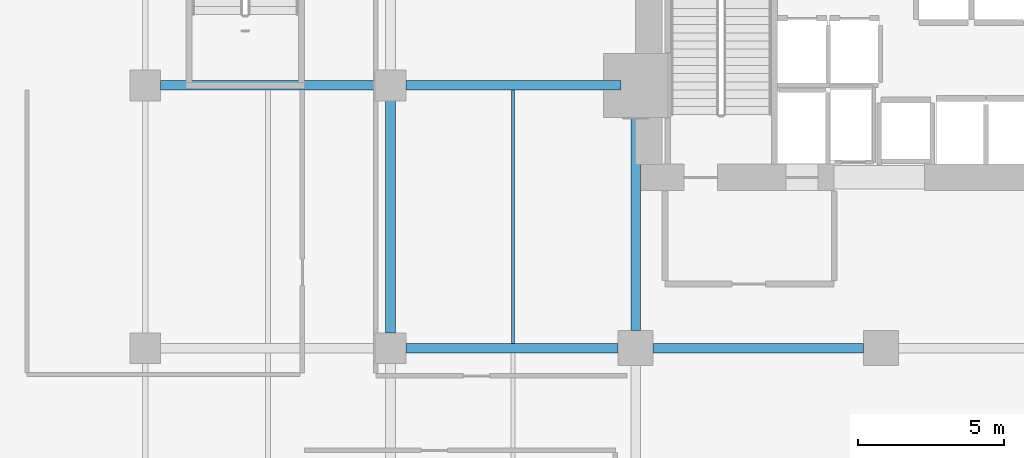
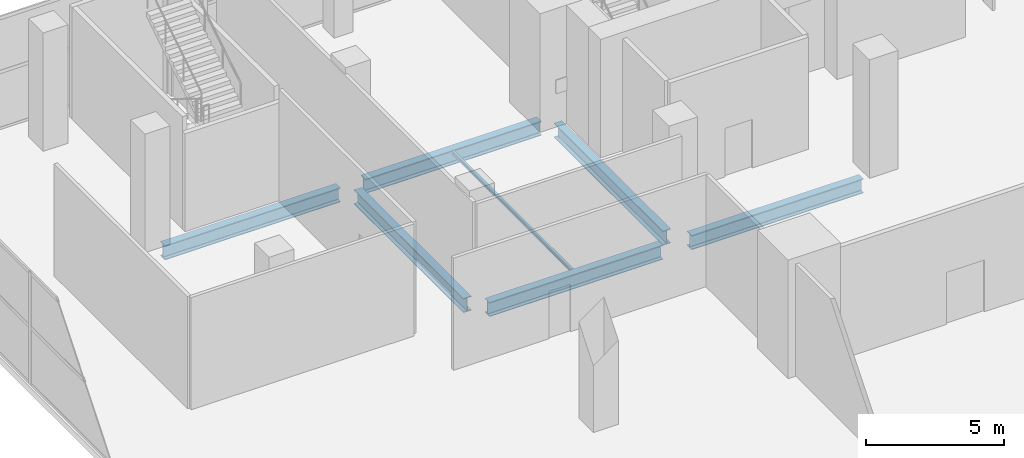
# One storey, part 19 of 40: 7 beams.
"""IFC4 building model written with IfcOpenShell, lengths in metres."""

from ifc_helpers import new_model, si_unit, direction, frame, origin, origin_2d, place, context, subcontext, project, spatial, i_section, extrude, material, material_profile, profile_set, type_object, element, save


model = new_model("IFC4")

# Units and contexts
model_context = context("Model", 3, precision=1e-05, world=origin(), true_north=direction((0.0, 1.0)))
body_context = subcontext(model_context, "Body", "Model", "MODEL_VIEW")
ifc_project = project(units=[si_unit("LENGTHUNIT", "METRE"), si_unit("AREAUNIT", "SQUARE_METRE"), si_unit("VOLUMEUNIT", "CUBIC_METRE"), si_unit("PLANEANGLEUNIT", "RADIAN"), si_unit("MASSUNIT", "GRAM", prefix="KILO")], contexts=[model_context])

# Site, building, storey
site_placement = place(None, origin())
site = spatial("IfcSite", under=ifc_project, at=site_placement, CompositionType="ELEMENT")
building_placement = place(site_placement, origin())
building = spatial("IfcBuilding", under=site, at=building_placement, Name="Maruvema Waterfront Hotel and Observation Tower", CompositionType="ELEMENT")
storey_placement = place(building_placement, frame((0.0, 0.0, 5.60009765625)))
storey = spatial("IfcBuildingStorey", under=building, at=storey_placement, Name="L01", CompositionType="ELEMENT", Elevation=5.60009765625)

# Beams
ifc_material_1 = material(Name="Steel ASTM A572 Grade 50", Category="steel")
ifc_material_profile_1 = material_profile(ifc_material_1, i_section(OverallWidth=0.3291015625, OverallDepth=0.635009765625, WebThickness=0.017822265625, FlangeThickness=0.031005859375, FilletRadius=0.01806640625, at=origin_2d()), Name="W610x241.0")
ifc_profile_set_1 = profile_set([ifc_material_profile_1], Name="Steel ASTM A572 Grade 50")
beam_type_1 = type_object("IfcBeamType", Name="Primary Floor Girder W610x241.0", PredefinedType="BEAM", material=ifc_profile_set_1)
beam_1_placement = place(storey_placement, frame((17.324951171875, 36.0, -0.59765625), z_axis=(1.0, 0.0, 0.0), x_axis=(0.0, 1.0, 0.0)))
element("IfcBeam", 1, at=beam_1_placement, inside=storey, type_object=beam_type_1, Name="L01 Floor Girder EW-26", PredefinedType="BEAM", context=body_context, shape_type="SweptSolid", body=[
    extrude(i_section(OverallWidth=0.3291015625, OverallDepth=0.635009765625, WebThickness=0.017822265625, FlangeThickness=0.031005859375, FilletRadius=0.01806640625, at=origin_2d()), origin(), (0.0, 0.0, 1.0), 7.275146484375),
])
beam_2_placement = place(storey_placement, frame((25.800048828125, 36.0, -0.59765625), z_axis=(1.0, 0.0, 0.0), x_axis=(0.0, 1.0, 0.0)))
element("IfcBeam", 2, at=beam_2_placement, inside=storey, type_object=beam_type_1, Name="L01 Floor Girder EW-27", PredefinedType="BEAM", context=body_context, shape_type="SweptSolid", body=[
    extrude(i_section(OverallWidth=0.3291015625, OverallDepth=0.635009765625, WebThickness=0.017822265625, FlangeThickness=0.031005859375, FilletRadius=0.01806640625, at=origin_2d()), origin(), (0.0, 0.0, 1.0), 7.199951171875),
])
beam_3_placement = place(storey_placement, frame((8.925048828125, 45.0, -0.59765625), z_axis=(1.0, 0.0, 0.0), x_axis=(0.0, 1.0, 0.0)))
element("IfcBeam", 3, at=beam_3_placement, inside=storey, type_object=beam_type_1, Name="L01 Floor Girder EW-32", PredefinedType="BEAM", context=body_context, shape_type="SweptSolid", body=[
    extrude(i_section(OverallWidth=0.3291015625, OverallDepth=0.635009765625, WebThickness=0.017822265625, FlangeThickness=0.031005859375, FilletRadius=0.01806640625, at=origin_2d()), origin(), (0.0, 0.0, 1.0), 7.349853515625),
])
beam_4_placement = place(storey_placement, frame((17.324951171875, 45.0, -0.59765625), z_axis=(1.0, 0.0, 0.0), x_axis=(0.0, 1.0, 0.0)))
element("IfcBeam", 4, at=beam_4_placement, inside=storey, type_object=beam_type_1, Name="L01 Floor Girder EW-33", PredefinedType="BEAM", context=body_context, shape_type="SweptSolid", body=[
    extrude(i_section(OverallWidth=0.3291015625, OverallDepth=0.635009765625, WebThickness=0.017822265625, FlangeThickness=0.031005859375, FilletRadius=0.01806640625, at=origin_2d()), origin(), (0.0, 0.0, 1.0), 7.375),
])
beam_5_placement = place(storey_placement, frame((16.800048828125, 36.52490234375, -0.59765625), z_axis=(0.0, 1.0, 0.0), x_axis=(-1.0, 0.0, 0.0)))
element("IfcBeam", 5, at=beam_5_placement, inside=storey, type_object=beam_type_1, Name="L01 Floor Girder NS-11", PredefinedType="BEAM", context=body_context, shape_type="SweptSolid", body=[
    extrude(i_section(OverallWidth=0.3291015625, OverallDepth=0.635009765625, WebThickness=0.017822265625, FlangeThickness=0.031005859375, FilletRadius=0.01806640625, at=origin_2d()), origin(), (0.0, 0.0, 1.0), 7.9501953125),
])
beam_6_placement = place(storey_placement, frame((25.199951171875, 36.60009765625, -0.59765625), z_axis=(0.0, 1.0, 0.0), x_axis=(-1.0, 0.0, 0.0)))
element("IfcBeam", 6, at=beam_6_placement, inside=storey, type_object=beam_type_1, Name="L01 Floor Girder NS-17", PredefinedType="BEAM", context=body_context, shape_type="SweptSolid", body=[
    extrude(i_section(OverallWidth=0.3291015625, OverallDepth=0.635009765625, WebThickness=0.017822265625, FlangeThickness=0.031005859375, FilletRadius=0.01806640625, at=origin_2d()), origin(), (0.0, 0.0, 1.0), 7.89990234375),
])
ifc_material_2 = material(Name="Steel ASTM A572 Grade 50", Category="steel")
ifc_material_profile_2 = material_profile(ifc_material_2, i_section(OverallWidth=0.10009765625, OverallDepth=0.153076171875, WebThickness=0.005859375, FlangeThickness=0.007080078125, FilletRadius=0.008056640625, at=origin_2d()), Name="W150x18.0")
ifc_profile_set_2 = profile_set([ifc_material_profile_2], Name="Steel ASTM A572 Grade 50")
beam_type_2 = type_object("IfcBeamType", Name="Secondary Floor Joist W150x18.0", PredefinedType="JOIST", material=ifc_profile_set_2)
beam_7_placement = place(storey_placement, frame((21.0, 36.16455078125, -0.356689453125), z_axis=(0.0, 1.0, 0.0), x_axis=(-1.0, 0.0, 0.0)))
element("IfcBeam", 7, at=beam_7_placement, inside=storey, type_object=beam_type_2, Name="L01 Secondary Floor Joist JS-08", PredefinedType="JOIST", context=body_context, shape_type="SweptSolid", body=[
    extrude(i_section(OverallWidth=0.10009765625, OverallDepth=0.153076171875, WebThickness=0.005859375, FlangeThickness=0.007080078125, FilletRadius=0.008056640625, at=origin_2d()), origin(), (0.0, 0.0, 1.0), 8.6708984375),
])

save(model, "model.ifc")
